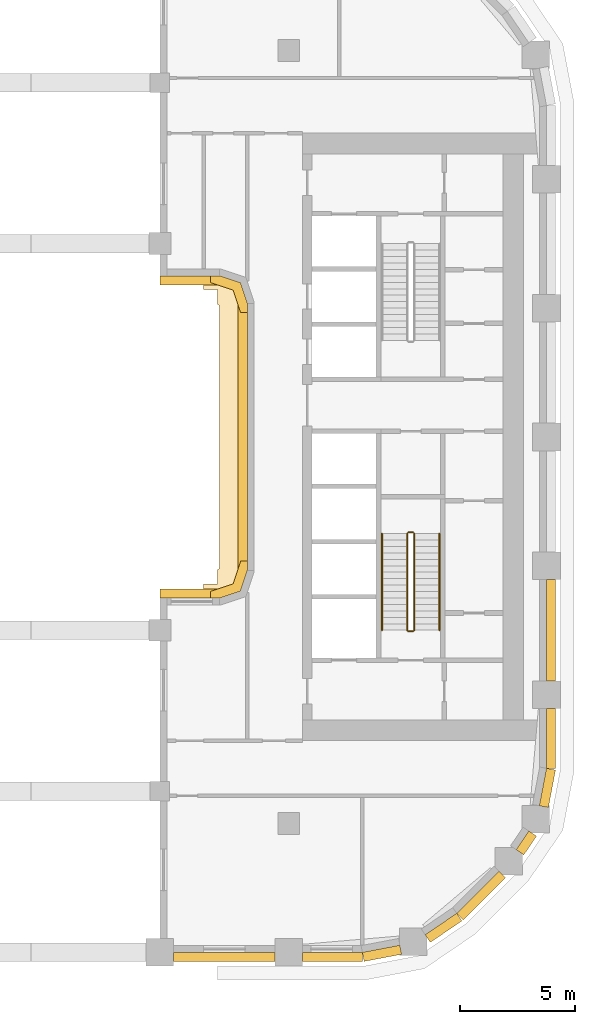
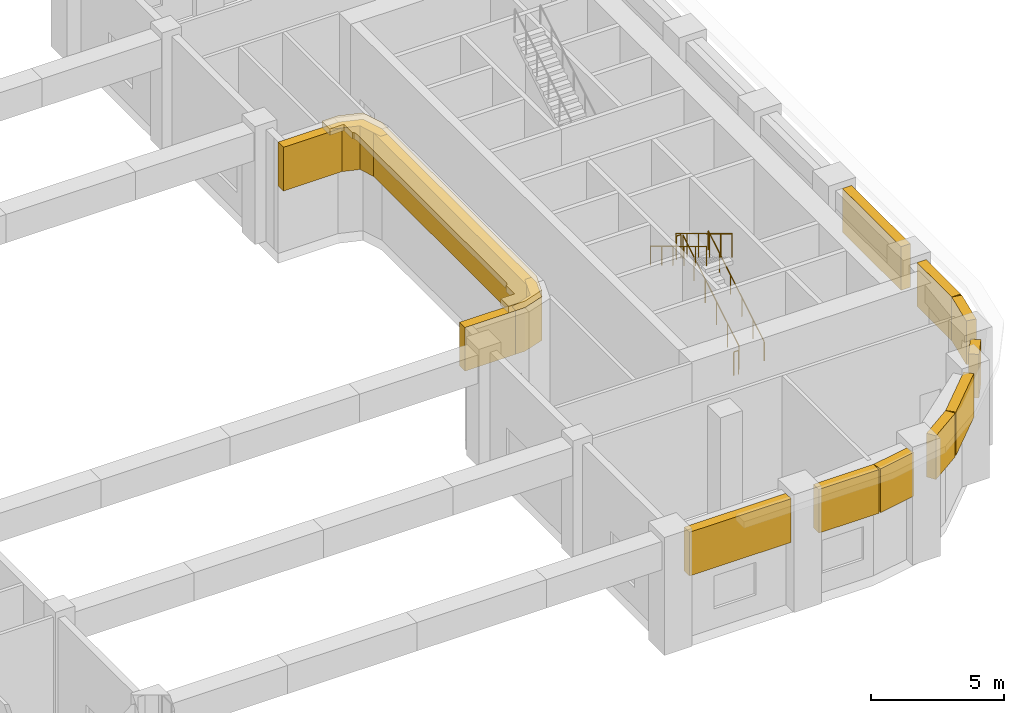
# One storey, part 11 of 14: 15 coverings, 6 railings.
"""IFC4 building model written with IfcOpenShell, lengths in metres."""

from ifc_helpers import new_model, si_unit, direction, frame, origin, origin_2d, place, context, subcontext, project, spatial, polyline, rectangle, circle, outline, extrude, material, layer, layer_set, type_object, element, save


model = new_model("IFC4")

# Units and contexts
model_context = context("Model", 3, precision=1e-05, world=origin(), true_north=direction((0.0, 1.0)))
body_context = subcontext(model_context, "Body", "Model", "MODEL_VIEW")
ifc_project = project(units=[si_unit("LENGTHUNIT", "METRE"), si_unit("AREAUNIT", "SQUARE_METRE"), si_unit("VOLUMEUNIT", "CUBIC_METRE"), si_unit("PLANEANGLEUNIT", "RADIAN"), si_unit("MASSUNIT", "GRAM", prefix="KILO")], contexts=[model_context])

# Site, building, storey
site_placement = place(None, origin())
site = spatial("IfcSite", under=ifc_project, at=site_placement, CompositionType="ELEMENT")
building_placement = place(site_placement, origin())
building = spatial("IfcBuilding", under=site, at=building_placement, Name="Kiln Ring Residences", CompositionType="ELEMENT")
storey_placement = place(building_placement, frame((0.0, 0.0, 130.699951171875)))
storey = spatial("IfcBuildingStorey", under=building, at=storey_placement, Name="L33", CompositionType="ELEMENT", Elevation=130.699951171875)

# Railings
ifc_material_1 = material(Name="Stainless steel", Category="steel")
railing_type_1 = type_object("IfcRailingType", Name="CORE-STAIR-GUARD", PredefinedType="GUARDRAIL", material=ifc_material_1)
railing_1_placement = place(storey_placement, frame((22.25, -8.39990234375, 0.168701171875)))
element("IfcRailing", 1, at=railing_1_placement, inside=storey, type_object=railing_type_1, Name="L33 E-STS stair guard 1", PredefinedType="GUARDRAIL", context=body_context, shape_type="SweptSolid", body=[
    extrude(circle(Radius=0.02392578125, at=origin_2d()), frame((0.0, 0.0, 1.076171875), z_axis=(0.0, 0.856476492594, 0.516186030065), x_axis=(-1.0, 0.0, 0.0)), (0.0, 0.0, 1.0), 4.90380859375),
    extrude(circle(Radius=0.02099609375, at=origin_2d()), origin(), (0.0, 0.0, 1.0), 1.052001953125),
    extrude(circle(Radius=0.02099609375, at=origin_2d()), frame((0.0, 0.840087890625, 0.50634765625)), (0.0, 0.0, 1.0), 1.052001953125),
    extrude(circle(Radius=0.02099609375, at=origin_2d()), frame((0.0, 1.679931640625, 1.012451171875)), (0.0, 0.0, 1.0), 1.052001953125),
    extrude(circle(Radius=0.02099609375, at=origin_2d()), frame((0.0, 2.52001953125, 1.518798828125)), (0.0, 0.0, 1.0), 1.052001953125),
    extrude(circle(Radius=0.02099609375, at=origin_2d()), frame((0.0, 3.35986328125, 2.02490234375)), (0.0, 0.0, 1.0), 1.052001953125),
    extrude(circle(Radius=0.02099609375, at=origin_2d()), frame((0.0, 4.199951171875, 2.53125)), (0.0, 0.0, 1.0), 1.052001953125),
])
railing_2_placement = place(storey_placement, frame((22.199951171875, -4.14990234375, 2.699951171875)))
element("IfcRailing", 2, at=railing_2_placement, inside=storey, type_object=railing_type_1, Name="L33 E-STS stair guard 2", PredefinedType="GUARDRAIL", context=body_context, shape_type="SweptSolid", body=[
    extrude(circle(Radius=0.02392578125, at=origin_2d()), frame((0.0, 0.0, 1.076171875), z_axis=(-1.0, 0.0, 0.0), x_axis=(0.0, -1.0, 0.0)), (0.0, 0.0, 1.0), 0.199951171875),
    extrude(circle(Radius=0.02099609375, at=origin_2d()), origin(), (0.0, 0.0, 1.0), 1.052001953125),
    extrude(circle(Radius=0.02099609375, at=origin_2d()), frame((-0.199951171875, 0.0, 0.0)), (0.0, 0.0, 1.0), 1.052001953125),
])
railing_3_placement = place(storey_placement, frame((21.949951171875, -4.199951171875, 2.868896484375)))
element("IfcRailing", 3, at=railing_3_placement, inside=storey, type_object=railing_type_1, Name="L33 E-STS stair guard 3", PredefinedType="GUARDRAIL", context=body_context, shape_type="SweptSolid", body=[
    extrude(circle(Radius=0.02392578125, at=origin_2d()), frame((0.0, 0.0, 1.076171875), z_axis=(0.0, -0.856476492594, 0.516186030065), x_axis=(1.0, 0.0, 0.0)), (0.0, 0.0, 1.0), 4.90380859375),
    extrude(circle(Radius=0.02099609375, at=origin_2d()), origin(), (0.0, 0.0, 1.0), 1.052001953125),
    extrude(circle(Radius=0.02099609375, at=origin_2d()), frame((0.0, -0.840087890625, 0.50634765625)), (0.0, 0.0, 1.0), 1.052001953125),
    extrude(circle(Radius=0.02099609375, at=origin_2d()), frame((0.0, -1.679931640625, 1.012451171875)), (0.0, 0.0, 1.0), 1.052001953125),
    extrude(circle(Radius=0.02099609375, at=origin_2d()), frame((0.0, -2.52001953125, 1.518798828125)), (0.0, 0.0, 1.0), 1.052001953125),
    extrude(circle(Radius=0.02099609375, at=origin_2d()), frame((0.0, -3.35986328125, 2.02490234375)), (0.0, 0.0, 1.0), 1.052001953125),
    extrude(circle(Radius=0.02099609375, at=origin_2d()), frame((0.0, -4.199951171875, 2.53125)), (0.0, 0.0, 1.0), 1.052001953125),
])
railing_4_placement = place(storey_placement, frame((22.199951171875, -8.449951171875, 0.0)))
element("IfcRailing", 4, at=railing_4_placement, inside=storey, type_object=railing_type_1, Name="L33 E-STS stair guard 4", PredefinedType="GUARDRAIL", context=body_context, shape_type="SweptSolid", body=[
    extrude(circle(Radius=0.02392578125, at=origin_2d()), frame((0.0, 0.0, 1.076171875), z_axis=(-1.0, 0.0, 0.0), x_axis=(0.0, -1.0, 0.0)), (0.0, 0.0, 1.0), 0.199951171875),
    extrude(circle(Radius=0.02099609375, at=origin_2d()), origin(), (0.0, 0.0, 1.0), 1.052001953125),
    extrude(circle(Radius=0.02099609375, at=origin_2d()), frame((-0.199951171875, 0.0, 0.0)), (0.0, 0.0, 1.0), 1.052001953125),
])
ifc_material_2 = material(Name="Stainless steel", Category="steel")
railing_type_2 = type_object("IfcRailingType", Name="CORE-STAIR-HANDRAIL", PredefinedType="HANDRAIL", material=ifc_material_2)
railing_5_placement = place(storey_placement, frame((23.35009765625, -8.39990234375, 0.168701171875)))
element("IfcRailing", 5, at=railing_5_placement, inside=storey, type_object=railing_type_2, Name="L33 E-STS stair handrail 1", PredefinedType="HANDRAIL", context=body_context, shape_type="SweptSolid", body=[
    extrude(circle(Radius=0.02392578125, at=origin_2d()), frame((0.0, 0.0, 0.8759765625), z_axis=(0.0, 0.856476492594, 0.516186030065), x_axis=(-1.0, 0.0, 0.0)), (0.0, 0.0, 1.0), 4.90380859375),
    extrude(circle(Radius=0.02099609375, at=origin_2d()), origin(), (0.0, 0.0, 1.0), 0.851806640625),
    extrude(circle(Radius=0.02099609375, at=origin_2d()), frame((0.0, 0.840087890625, 0.50634765625)), (0.0, 0.0, 1.0), 0.851806640625),
    extrude(circle(Radius=0.02099609375, at=origin_2d()), frame((0.0, 1.679931640625, 1.012451171875)), (0.0, 0.0, 1.0), 0.851806640625),
    extrude(circle(Radius=0.02099609375, at=origin_2d()), frame((0.0, 2.52001953125, 1.518798828125)), (0.0, 0.0, 1.0), 0.851806640625),
    extrude(circle(Radius=0.02099609375, at=origin_2d()), frame((0.0, 3.35986328125, 2.02490234375)), (0.0, 0.0, 1.0), 0.851806640625),
    extrude(circle(Radius=0.02099609375, at=origin_2d()), frame((0.0, 4.199951171875, 2.53125)), (0.0, 0.0, 1.0), 0.851806640625),
])
railing_6_placement = place(storey_placement, frame((20.85009765625, -4.199951171875, 2.868896484375)))
element("IfcRailing", 6, at=railing_6_placement, inside=storey, type_object=railing_type_2, Name="L33 E-STS stair handrail 2", PredefinedType="HANDRAIL", context=body_context, shape_type="SweptSolid", body=[
    extrude(circle(Radius=0.02392578125, at=origin_2d()), frame((0.0, 0.0, 0.8759765625), z_axis=(0.0, -0.856476492594, 0.516186030065), x_axis=(1.0, 0.0, 0.0)), (0.0, 0.0, 1.0), 4.90380859375),
    extrude(circle(Radius=0.02099609375, at=origin_2d()), origin(), (0.0, 0.0, 1.0), 0.851806640625),
    extrude(circle(Radius=0.02099609375, at=origin_2d()), frame((0.0, -0.840087890625, 0.50634765625)), (0.0, 0.0, 1.0), 0.851806640625),
    extrude(circle(Radius=0.02099609375, at=origin_2d()), frame((0.0, -1.679931640625, 1.012451171875)), (0.0, 0.0, 1.0), 0.851806640625),
    extrude(circle(Radius=0.02099609375, at=origin_2d()), frame((0.0, -2.52001953125, 1.518798828125)), (0.0, 0.0, 1.0), 0.851806640625),
    extrude(circle(Radius=0.02099609375, at=origin_2d()), frame((0.0, -3.35986328125, 2.02490234375)), (0.0, 0.0, 1.0), 0.851806640625),
    extrude(circle(Radius=0.02099609375, at=origin_2d()), frame((0.0, -4.199951171875, 2.53125)), (0.0, 0.0, 1.0), 0.851806640625),
])

# Coverings
ifc_material_3 = material(Name="Black powder-coated steel", Category="steel")
ifc_layer = layer(ifc_material_3, 0.300048828125)
ifc_layer_set = layer_set([ifc_layer], Name="SUNSHADE FIN 600")
covering_type_1 = type_object("IfcCoveringType", Name="SUNSHADE FIN 600", PredefinedType="CLADDING", material=ifc_layer_set)
covering_1_placement = place(storey_placement, frame((0.0, 0.0, 5.10009765625)))
element("IfcCovering", 7, at=covering_1_placement, inside=storey, type_object=covering_type_1, Name="SUNSHADE FIN L33", PredefinedType="CLADDING", context=body_context, shape_type="SweptSolid", body=[
    extrude(outline(polyline([(13.090087890625, 6.39990234375), (13.699951171875, 6.39990234375), (13.699951171875, 5.768310546875), (13.751220703125, 5.751220703125), (13.800048828125, 5.605224609375), (13.800048828125, -5.605224609375), (13.751220703125, -5.751220703125), (13.699951171875, -5.768310546875), (13.699951171875, -6.39990234375), (13.090087890625, -6.39990234375), (13.090087890625, -7.0), (13.800048828125, -7.0), (14.699951171875, -6.699951171875), (15.0, -5.800048828125), (15.0, 5.800048828125), (14.699951171875, 6.699951171875), (13.800048828125, 7.0), (13.090087890625, 7.0), (13.090087890625, 6.39990234375)])), origin(), (0.0, 0.0, 1.0), 0.300048828125),
])
ifc_material_4 = material(Name="Concrete C35/45, exposed aggregate finish", Category="concrete")
covering_type_2 = type_object("IfcCoveringType", Name="TIE BAND 2000 x 400", PredefinedType="CLADDING", material=ifc_material_4)
covering_2_placement = place(storey_placement, frame((12.5, -6.800048828125, 3.10009765625), z_axis=(0.0, 0.0, 1.0), x_axis=(-1.0, 0.0, 0.0)))
element("IfcCovering", 8, at=covering_2_placement, inside=storey, type_object=covering_type_2, Name="TIE BAND L33", PredefinedType="CLADDING", context=body_context, shape_type="SweptSolid", body=[
    extrude(rectangle(XDim=2.60009765625, YDim=0.39990234375, at=origin_2d()), origin(), (0.0, 0.0, 1.0), 2.0),
])
covering_3_placement = place(storey_placement, frame((14.0, -22.60009765625, 3.10009765625), z_axis=(0.0, 0.0, 1.0), x_axis=(1.0, 0.0, 0.0)))
element("IfcCovering", 9, at=covering_3_placement, inside=storey, type_object=covering_type_2, Name="TIE BAND L33", PredefinedType="CLADDING", context=body_context, shape_type="SweptSolid", body=[
    extrude(rectangle(XDim=4.39990234375, YDim=0.39990234375, at=origin_2d()), origin(), (0.0, 0.0, 1.0), 2.0),
])
covering_4_placement = place(storey_placement, frame((18.699951171875, -22.60009765625, 3.10009765625), z_axis=(0.0, 0.0, 1.0), x_axis=(1.0, 0.0, 0.0)))
element("IfcCovering", 10, at=covering_4_placement, inside=storey, type_object=covering_type_2, Name="TIE BAND L33", PredefinedType="CLADDING", context=body_context, shape_type="SweptSolid", body=[
    extrude(rectangle(XDim=2.60009765625, YDim=0.39990234375, at=origin_2d()), origin(), (0.0, 0.0, 1.0), 2.0),
])
covering_5_placement = place(storey_placement, frame((20.850830078125, -22.44140625, 3.10009765625), z_axis=(0.0, 0.0, 1.0), x_axis=(0.98229025778, 0.187365550382, 0.0)))
element("IfcCovering", 11, at=covering_5_placement, inside=storey, type_object=covering_type_2, Name="TIE BAND L33", PredefinedType="CLADDING", context=body_context, shape_type="SweptSolid", body=[
    extrude(rectangle(XDim=1.65625, YDim=0.39990234375, at=origin_2d()), origin(), (0.0, 0.0, 1.0), 2.0),
])
covering_6_placement = place(storey_placement, frame((23.524658203125, -21.333740234375, 3.10009765625), z_axis=(0.0, 0.0, 1.0), x_axis=(0.827071553606, 0.562096651134, 0.0)))
element("IfcCovering", 12, at=covering_6_placement, inside=storey, type_object=covering_type_2, Name="TIE BAND L33", PredefinedType="CLADDING", context=body_context, shape_type="SweptSolid", body=[
    extrude(rectangle(XDim=1.656005859375, YDim=0.39990234375, at=origin_2d()), origin(), (0.0, 0.0, 1.0), 2.0),
])
covering_7_placement = place(storey_placement, frame((25.15771484375, -19.925048828125, 3.10009765625), z_axis=(0.0, 0.0, 1.0), x_axis=(0.707106781187, 0.707106781187, 0.0)))
element("IfcCovering", 13, at=covering_7_placement, inside=storey, type_object=covering_type_2, Name="TIE BAND L33", PredefinedType="CLADDING", context=body_context, shape_type="SweptSolid", body=[
    extrude(rectangle(XDim=2.60009765625, YDim=0.39990234375, at=origin_2d()), origin(), (0.0, 0.0, 1.0), 2.0),
])
covering_8_placement = place(storey_placement, frame((27.12451171875, -17.643798828125, 3.10009765625), z_axis=(0.0, 0.0, 1.0), x_axis=(0.562096651134, 0.827071553606, 0.0)))
element("IfcCovering", 14, at=covering_8_placement, inside=storey, type_object=covering_type_2, Name="TIE BAND L33", PredefinedType="CLADDING", context=body_context, shape_type="SweptSolid", body=[
    extrude(rectangle(XDim=0.97705078125, YDim=0.39990234375, at=origin_2d()), origin(), (0.0, 0.0, 1.0), 2.0),
])
covering_9_placement = place(storey_placement, frame((28.041259765625, -15.2509765625, 3.10009765625), z_axis=(0.0, 0.0, 1.0), x_axis=(0.187365550382, 0.98229025778, 0.0)))
element("IfcCovering", 15, at=covering_9_placement, inside=storey, type_object=covering_type_2, Name="TIE BAND L33", PredefinedType="CLADDING", context=body_context, shape_type="SweptSolid", body=[
    extrude(rectangle(XDim=1.65625, YDim=0.39990234375, at=origin_2d()), origin(), (0.0, 0.0, 1.0), 2.0),
])
covering_10_placement = place(storey_placement, frame((28.199951171875, -13.10009765625, 3.10009765625), z_axis=(0.0, 0.0, 1.0), x_axis=(0.0, 1.0, 0.0)))
element("IfcCovering", 16, at=covering_10_placement, inside=storey, type_object=covering_type_2, Name="TIE BAND L33", PredefinedType="CLADDING", context=body_context, shape_type="SweptSolid", body=[
    extrude(rectangle(XDim=2.60009765625, YDim=0.39990234375, at=origin_2d()), origin(), (0.0, 0.0, 1.0), 2.0),
])
covering_11_placement = place(storey_placement, frame((28.199951171875, -8.39990234375, 3.10009765625), z_axis=(0.0, 0.0, 1.0), x_axis=(0.0, 1.0, 0.0)))
element("IfcCovering", 17, at=covering_11_placement, inside=storey, type_object=covering_type_2, Name="TIE BAND L33", PredefinedType="CLADDING", context=body_context, shape_type="SweptSolid", body=[
    extrude(rectangle(XDim=4.39990234375, YDim=0.39990234375, at=origin_2d()), origin(), (0.0, 0.0, 1.0), 2.0),
])
covering_12_placement = place(storey_placement, frame((12.5, 6.800048828125, 3.10009765625), z_axis=(0.0, 0.0, 1.0), x_axis=(1.0, 0.0, 0.0)))
element("IfcCovering", 18, at=covering_12_placement, inside=storey, type_object=covering_type_2, Name="TIE BAND L33", PredefinedType="CLADDING", context=body_context, shape_type="SweptSolid", body=[
    extrude(rectangle(XDim=2.60009765625, YDim=0.39990234375, at=origin_2d()), origin(), (0.0, 0.0, 1.0), 2.0),
])
covering_13_placement = place(storey_placement, frame((14.800048828125, 0.0, 3.10009765625), z_axis=(0.0, 0.0, 1.0), x_axis=(0.0, -1.0, 0.0)))
element("IfcCovering", 19, at=covering_13_placement, inside=storey, type_object=covering_type_2, Name="TIE BAND L33", PredefinedType="CLADDING", context=body_context, shape_type="SweptSolid", body=[
    extrude(rectangle(XDim=11.60009765625, YDim=0.39990234375, at=origin_2d()), origin(), (0.0, 0.0, 1.0), 2.0),
])
placement = place(storey_placement, frame((0.0, 0.0, 3.10009765625)))
element("IfcCovering", 20, at=placement, inside=storey, type_object=covering_type_2, Name="TIE BAND L33", PredefinedType="CLADDING", context=body_context, shape_type="SweptSolid", body=[
    extrude(outline(polyline([(13.800048828125, 7.0), (13.39990234375, 7.0), (13.39990234375, 6.711669921875), (14.3837890625, 6.3837890625), (14.711669921875, 5.39990234375), (15.0, 5.39990234375), (15.0, 5.800048828125), (14.699951171875, 6.699951171875), (13.800048828125, 7.0)])), origin(), (0.0, 0.0, 1.0), 2.0),
])
element("IfcCovering", 21, at=placement, inside=storey, type_object=covering_type_2, Name="TIE BAND L33", PredefinedType="CLADDING", context=body_context, shape_type="SweptSolid", body=[
    extrude(outline(polyline([(15.0, -5.800048828125), (15.0, -5.39990234375), (14.711669921875, -5.39990234375), (14.3837890625, -6.3837890625), (13.39990234375, -6.711669921875), (13.39990234375, -7.0), (13.800048828125, -7.0), (14.699951171875, -6.699951171875), (15.0, -5.800048828125)])), origin(), (0.0, 0.0, 1.0), 2.0),
])

save(model, "model.ifc")
